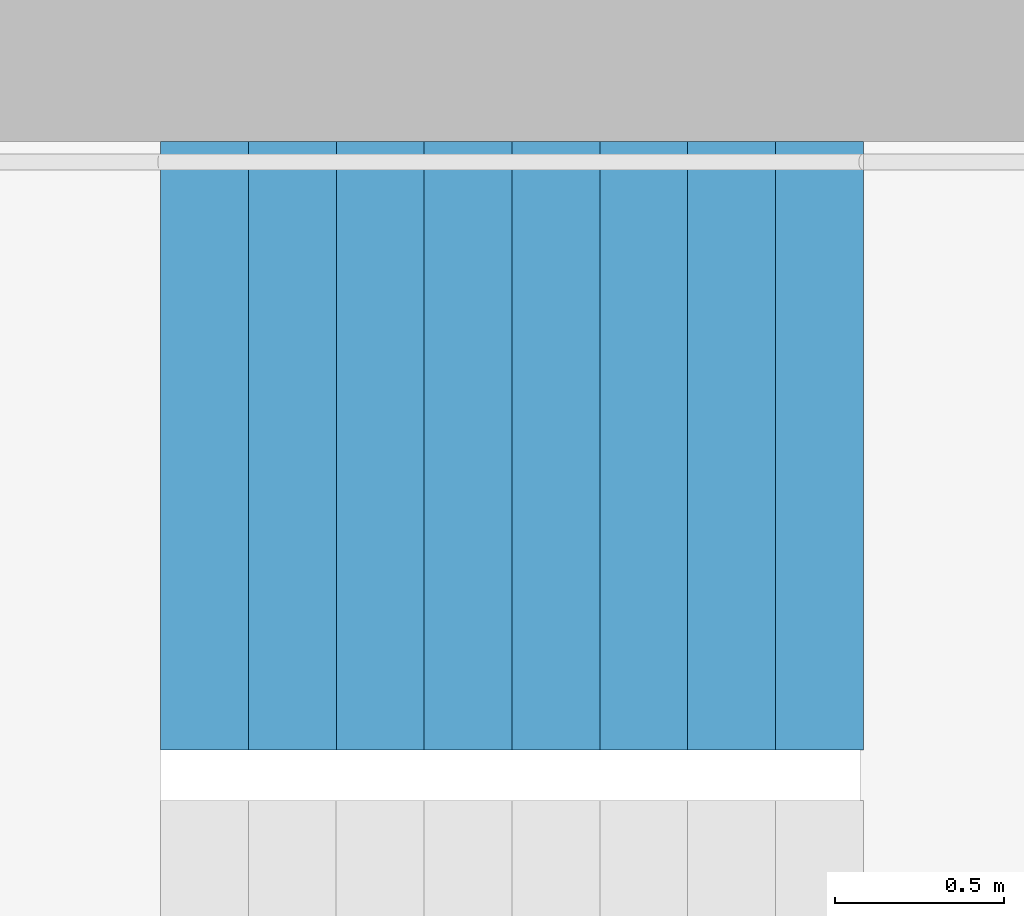
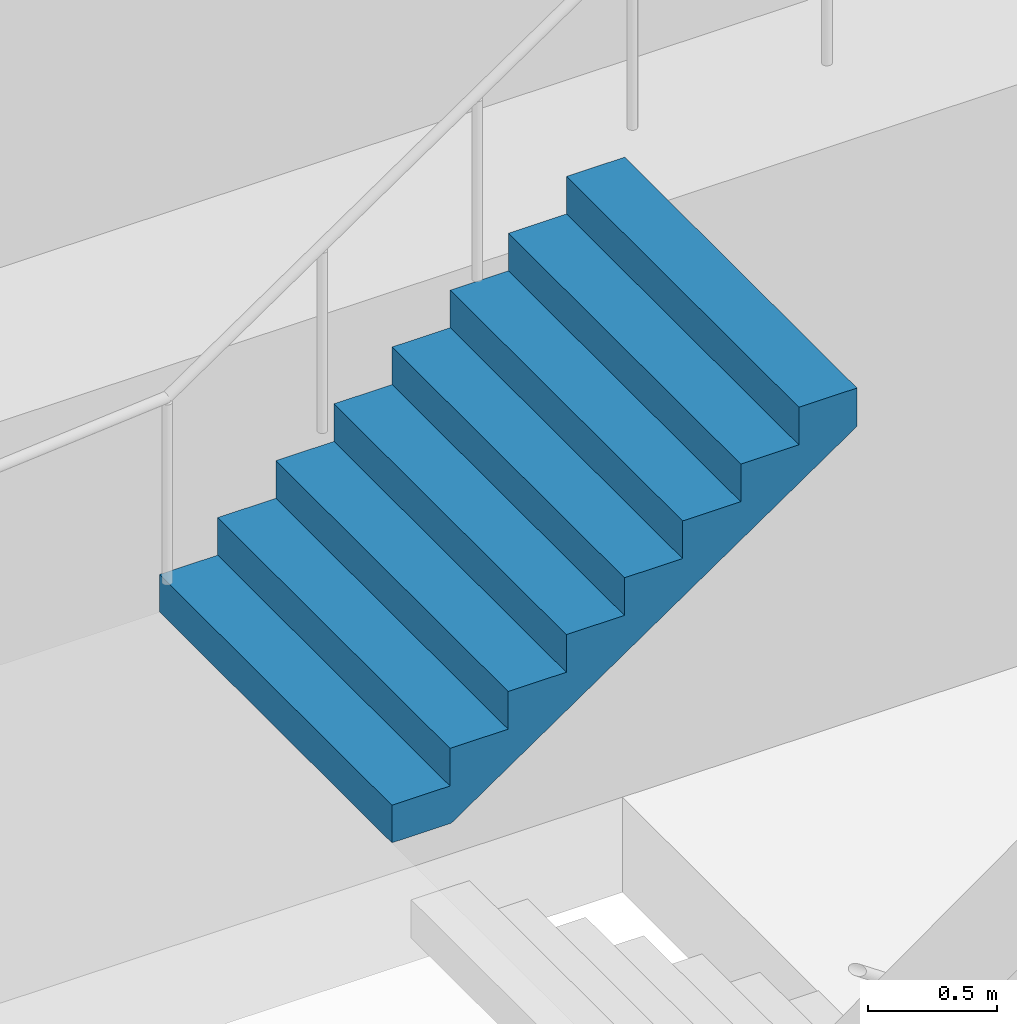
# One storey, part 25 of 26: 1 stair flight, 1 element without a shape of its own.
"""IFC4 building model written with IfcOpenShell, lengths in metres."""

from ifc_helpers import new_model, si_unit, direction, frame, origin, place, context, subcontext, project, spatial, triangles, material, type_object, element, aggregate, save


model = new_model("IFC4")

# Units and contexts
model_context = context("Model", 3, precision=1e-05, world=origin(), true_north=direction((0.0, 1.0)))
body_context = subcontext(model_context, "Body", "Model", "MODEL_VIEW")
ifc_project = project(units=[si_unit("LENGTHUNIT", "METRE"), si_unit("AREAUNIT", "SQUARE_METRE"), si_unit("VOLUMEUNIT", "CUBIC_METRE"), si_unit("PLANEANGLEUNIT", "RADIAN"), si_unit("MASSUNIT", "GRAM", prefix="KILO")], contexts=[model_context])

# Site, building, storey
site_placement = place(None, origin())
site = spatial("IfcSite", under=ifc_project, at=site_placement, CompositionType="ELEMENT")
building_placement = place(site_placement, origin())
building = spatial("IfcBuilding", under=site, at=building_placement, Name="Hakoniwa Tower and Hamabe Station Hall", CompositionType="ELEMENT")
storey_placement = place(building_placement, frame((0.0, 0.0, 131.0)))
storey = spatial("IfcBuildingStorey", under=building, at=storey_placement, Name="L36", CompositionType="ELEMENT", Elevation=131.0)

# Stair, stair flight
ifc_material_1 = material(Name="Concrete C40", Category="concrete")
stair_type = type_object("IfcStairType", Name="ESCAPE STAIR 1800", PredefinedType="HALF_TURN_STAIR", material=ifc_material_1)
stair_placement = place(storey_placement, origin())
stair = element("IfcStair", 1, at=stair_placement, inside=storey, type_object=stair_type, Name="Escape stair ST-3 L36", PredefinedType="HALF_TURN_STAIR")
ifc_material_2 = material(Name="Concrete C40", Category="concrete")
stair_flight_type = type_object("IfcStairFlightType", Name="STAIR FLIGHT 1800", PredefinedType="STRAIGHT", material=ifc_material_2)
stair_flight_placement = place(storey_placement, frame((22.320068359375, 6.60009765625, 1.60009765625), z_axis=(0.0, 0.0, 1.0), x_axis=(1.0, 0.0, 0.0)))
stair_flight = element("IfcStairFlight", 2, at=stair_flight_placement, type_object=stair_flight_type, Name="ST-3 flight 2", NumberOfRisers=9, NumberOfTreads=8, PredefinedType="STRAIGHT", RiserHeight=0.177777778, TreadLength=0.26, context=body_context, shape_type="Tessellation", body=[
    triangles([(0.0, 0.89990234375, 0.0), (0.260009765625, 0.89990234375, 0.0), (0.265625, 0.89990234375, 0.0), (0.52001953125, 0.89990234375, 0.174072265625), (0.780029296875, 0.89990234375, 0.351806640625), (1.0400390625, 0.89990234375, 0.529541015625), (1.300048828125, 0.89990234375, 0.707275390625), (1.56005859375, 0.89990234375, 0.885009765625), (1.820068359375, 0.89990234375, 1.062744140625), (2.080078125, 0.89990234375, 1.24072265625), (2.080078125, 0.89990234375, 1.422119140625), (1.820068359375, 0.89990234375, 1.422119140625), (1.820068359375, 0.89990234375, 1.244384765625), (1.56005859375, 0.89990234375, 1.244384765625), (1.56005859375, 0.89990234375, 1.066650390625), (1.300048828125, 0.89990234375, 1.066650390625), (1.300048828125, 0.89990234375, 0.888916015625), (1.0400390625, 0.89990234375, 0.888916015625), (1.0400390625, 0.89990234375, 0.711181640625), (0.780029296875, 0.89990234375, 0.711181640625), (0.780029296875, 0.89990234375, 0.533447265625), (0.52001953125, 0.89990234375, 0.533447265625), (0.52001953125, 0.89990234375, 0.35546875), (0.265625, 0.89990234375, 0.35546875), (0.260009765625, 0.89990234375, 0.35546875), (0.260009765625, 0.89990234375, 0.177734375), (0.0, 0.89990234375, 0.177734375), (0.0, 0.06005859375, 0.0), (0.260009765625, 0.06005859375, 0.0), (0.265625, 0.06005859375, 0.0), (0.52001953125, 0.06005859375, 0.174072265625), (0.780029296875, 0.06005859375, 0.351806640625), (1.0400390625, 0.06005859375, 0.529541015625), (1.300048828125, 0.06005859375, 0.707275390625), (1.56005859375, 0.06005859375, 0.885009765625), (1.820068359375, 0.06005859375, 1.062744140625), (2.080078125, 0.06005859375, 1.24072265625), (2.080078125, 0.06005859375, 1.422119140625), (1.820068359375, 0.06005859375, 1.422119140625), (1.820068359375, 0.06005859375, 1.244384765625), (1.56005859375, 0.06005859375, 1.244384765625), (1.56005859375, 0.06005859375, 1.066650390625), (1.300048828125, 0.06005859375, 1.066650390625), (1.300048828125, 0.06005859375, 0.888916015625), (1.0400390625, 0.06005859375, 0.888916015625), (1.0400390625, 0.06005859375, 0.711181640625), (0.780029296875, 0.06005859375, 0.711181640625), (0.780029296875, 0.06005859375, 0.533447265625), (0.52001953125, 0.06005859375, 0.533447265625), (0.52001953125, 0.06005859375, 0.35546875), (0.265625, 0.06005859375, 0.35546875), (0.260009765625, 0.06005859375, 0.35546875), (0.260009765625, 0.06005859375, 0.177734375), (0.0, 0.06005859375, 0.177734375), (0.0, 0.04296875, 0.0), (0.260009765625, 0.04296875, 0.0), (0.265625, 0.04296875, 0.0), (0.52001953125, 0.04296875, 0.174072265625), (0.780029296875, 0.04296875, 0.351806640625), (1.0400390625, 0.04296875, 0.529541015625), (1.300048828125, 0.04296875, 0.707275390625), (1.56005859375, 0.04296875, 0.885009765625), (1.820068359375, 0.04296875, 1.062744140625), (2.080078125, 0.04296875, 1.24072265625), (2.080078125, 0.04296875, 1.422119140625), (1.820068359375, 0.04296875, 1.422119140625), (1.820068359375, 0.04296875, 1.244384765625), (1.56005859375, 0.04296875, 1.244384765625), (1.56005859375, 0.04296875, 1.066650390625), (1.300048828125, 0.04296875, 1.066650390625), (1.300048828125, 0.04296875, 0.888916015625), (1.0400390625, 0.04296875, 0.888916015625), (1.0400390625, 0.04296875, 0.711181640625), (0.780029296875, 0.04296875, 0.711181640625), (0.780029296875, 0.04296875, 0.533447265625), (0.52001953125, 0.04296875, 0.533447265625), (0.52001953125, 0.04296875, 0.35546875), (0.265625, 0.04296875, 0.35546875), (0.260009765625, 0.04296875, 0.35546875), (0.260009765625, 0.04296875, 0.177734375), (0.0, 0.04296875, 0.177734375), (0.0, 0.025634765625, 0.0), (0.260009765625, 0.025634765625, 0.0), (0.265625, 0.025634765625, 0.0), (0.52001953125, 0.025634765625, 0.174072265625), (0.780029296875, 0.025634765625, 0.351806640625), (1.0400390625, 0.025634765625, 0.529541015625), (1.300048828125, 0.025634765625, 0.707275390625), (1.56005859375, 0.025634765625, 0.885009765625), (1.820068359375, 0.025634765625, 1.062744140625), (2.080078125, 0.025634765625, 1.24072265625), (2.080078125, 0.025634765625, 1.422119140625), (1.820068359375, 0.025634765625, 1.422119140625), (1.820068359375, 0.025634765625, 1.244384765625), (1.56005859375, 0.025634765625, 1.244384765625), (1.56005859375, 0.025634765625, 1.066650390625), (1.300048828125, 0.025634765625, 1.066650390625), (1.300048828125, 0.025634765625, 0.888916015625), (1.0400390625, 0.025634765625, 0.888916015625), (1.0400390625, 0.025634765625, 0.711181640625), (0.780029296875, 0.025634765625, 0.711181640625), (0.780029296875, 0.025634765625, 0.533447265625), (0.52001953125, 0.025634765625, 0.533447265625), (0.52001953125, 0.025634765625, 0.35546875), (0.265625, 0.025634765625, 0.35546875), (0.260009765625, 0.025634765625, 0.35546875), (0.260009765625, 0.025634765625, 0.177734375), (0.0, 0.025634765625, 0.177734375), (0.0, 0.008544921875, 0.0), (0.260009765625, 0.008544921875, 0.0), (0.265625, 0.008544921875, 0.0), (0.52001953125, 0.008544921875, 0.174072265625), (0.780029296875, 0.008544921875, 0.351806640625), (1.0400390625, 0.008544921875, 0.529541015625), (1.300048828125, 0.008544921875, 0.707275390625), (1.56005859375, 0.008544921875, 0.885009765625), (1.820068359375, 0.008544921875, 1.062744140625), (2.080078125, 0.008544921875, 1.24072265625), (2.080078125, 0.008544921875, 1.422119140625), (1.820068359375, 0.008544921875, 1.422119140625), (1.820068359375, 0.008544921875, 1.244384765625), (1.56005859375, 0.008544921875, 1.244384765625), (1.56005859375, 0.008544921875, 1.066650390625), (1.300048828125, 0.008544921875, 1.066650390625), (1.300048828125, 0.008544921875, 0.888916015625), (1.0400390625, 0.008544921875, 0.888916015625), (1.0400390625, 0.008544921875, 0.711181640625), (0.780029296875, 0.008544921875, 0.711181640625), (0.780029296875, 0.008544921875, 0.533447265625), (0.52001953125, 0.008544921875, 0.533447265625), (0.52001953125, 0.008544921875, 0.35546875), (0.265625, 0.008544921875, 0.35546875), (0.260009765625, 0.008544921875, 0.35546875), (0.260009765625, 0.008544921875, 0.177734375), (0.0, 0.008544921875, 0.177734375), (0.0, -0.008544921875, 0.0), (0.260009765625, -0.008544921875, 0.0), (0.265625, -0.008544921875, 0.0), (0.52001953125, -0.008544921875, 0.174072265625), (0.780029296875, -0.008544921875, 0.351806640625), (1.0400390625, -0.008544921875, 0.529541015625), (1.300048828125, -0.008544921875, 0.707275390625), (1.56005859375, -0.008544921875, 0.885009765625), (1.820068359375, -0.008544921875, 1.062744140625), (2.080078125, -0.008544921875, 1.24072265625), (2.080078125, -0.008544921875, 1.422119140625), (1.820068359375, -0.008544921875, 1.422119140625), (1.820068359375, -0.008544921875, 1.244384765625), (1.56005859375, -0.008544921875, 1.244384765625), (1.56005859375, -0.008544921875, 1.066650390625), (1.300048828125, -0.008544921875, 1.066650390625), (1.300048828125, -0.008544921875, 0.888916015625), (1.0400390625, -0.008544921875, 0.888916015625), (1.0400390625, -0.008544921875, 0.711181640625), (0.780029296875, -0.008544921875, 0.711181640625), (0.780029296875, -0.008544921875, 0.533447265625), (0.52001953125, -0.008544921875, 0.533447265625), (0.52001953125, -0.008544921875, 0.35546875), (0.265625, -0.008544921875, 0.35546875), (0.260009765625, -0.008544921875, 0.35546875), (0.260009765625, -0.008544921875, 0.177734375), (0.0, -0.008544921875, 0.177734375), (0.0, -0.025634765625, 0.0), (0.260009765625, -0.025634765625, 0.0), (0.265625, -0.025634765625, 0.0), (0.52001953125, -0.025634765625, 0.174072265625), (0.780029296875, -0.025634765625, 0.351806640625), (1.0400390625, -0.025634765625, 0.529541015625), (1.300048828125, -0.025634765625, 0.707275390625), (1.56005859375, -0.025634765625, 0.885009765625), (1.820068359375, -0.025634765625, 1.062744140625), (2.080078125, -0.025634765625, 1.24072265625), (2.080078125, -0.025634765625, 1.422119140625), (1.820068359375, -0.025634765625, 1.422119140625), (1.820068359375, -0.025634765625, 1.244384765625), (1.56005859375, -0.025634765625, 1.244384765625), (1.56005859375, -0.025634765625, 1.066650390625), (1.300048828125, -0.025634765625, 1.066650390625), (1.300048828125, -0.025634765625, 0.888916015625), (1.0400390625, -0.025634765625, 0.888916015625), (1.0400390625, -0.025634765625, 0.711181640625), (0.780029296875, -0.025634765625, 0.711181640625), (0.780029296875, -0.025634765625, 0.533447265625), (0.52001953125, -0.025634765625, 0.533447265625), (0.52001953125, -0.025634765625, 0.35546875), (0.265625, -0.025634765625, 0.35546875), (0.260009765625, -0.025634765625, 0.35546875), (0.260009765625, -0.025634765625, 0.177734375), (0.0, -0.025634765625, 0.177734375), (0.0, -0.04296875, 0.0), (0.260009765625, -0.04296875, 0.0), (0.265625, -0.04296875, 0.0), (0.52001953125, -0.04296875, 0.174072265625), (0.780029296875, -0.04296875, 0.351806640625), (1.0400390625, -0.04296875, 0.529541015625), (1.300048828125, -0.04296875, 0.707275390625), (1.56005859375, -0.04296875, 0.885009765625), (1.820068359375, -0.04296875, 1.062744140625), (2.080078125, -0.04296875, 1.24072265625), (2.080078125, -0.04296875, 1.422119140625), (1.820068359375, -0.04296875, 1.422119140625), (1.820068359375, -0.04296875, 1.244384765625), (1.56005859375, -0.04296875, 1.244384765625), (1.56005859375, -0.04296875, 1.066650390625), (1.300048828125, -0.04296875, 1.066650390625), (1.300048828125, -0.04296875, 0.888916015625), (1.0400390625, -0.04296875, 0.888916015625), (1.0400390625, -0.04296875, 0.711181640625), (0.780029296875, -0.04296875, 0.711181640625), (0.780029296875, -0.04296875, 0.533447265625), (0.52001953125, -0.04296875, 0.533447265625), (0.52001953125, -0.04296875, 0.35546875), (0.265625, -0.04296875, 0.35546875), (0.260009765625, -0.04296875, 0.35546875), (0.260009765625, -0.04296875, 0.177734375), (0.0, -0.04296875, 0.177734375), (0.0, -0.06005859375, 0.0), (0.260009765625, -0.06005859375, 0.0), (0.265625, -0.06005859375, 0.0), (0.52001953125, -0.06005859375, 0.174072265625), (0.780029296875, -0.06005859375, 0.351806640625), (1.0400390625, -0.06005859375, 0.529541015625), (1.300048828125, -0.06005859375, 0.707275390625), (1.56005859375, -0.06005859375, 0.885009765625), (1.820068359375, -0.06005859375, 1.062744140625), (2.080078125, -0.06005859375, 1.24072265625), (2.080078125, -0.06005859375, 1.422119140625), (1.820068359375, -0.06005859375, 1.422119140625), (1.820068359375, -0.06005859375, 1.244384765625), (1.56005859375, -0.06005859375, 1.244384765625), (1.56005859375, -0.06005859375, 1.066650390625), (1.300048828125, -0.06005859375, 1.066650390625), (1.300048828125, -0.06005859375, 0.888916015625), (1.0400390625, -0.06005859375, 0.888916015625), (1.0400390625, -0.06005859375, 0.711181640625), (0.780029296875, -0.06005859375, 0.711181640625), (0.780029296875, -0.06005859375, 0.533447265625), (0.52001953125, -0.06005859375, 0.533447265625), (0.52001953125, -0.06005859375, 0.35546875), (0.265625, -0.06005859375, 0.35546875), (0.260009765625, -0.06005859375, 0.35546875), (0.260009765625, -0.06005859375, 0.177734375), (0.0, -0.06005859375, 0.177734375), (0.0, -0.89990234375, 0.0), (0.260009765625, -0.89990234375, 0.0), (0.265625, -0.89990234375, 0.0), (0.52001953125, -0.89990234375, 0.174072265625), (0.780029296875, -0.89990234375, 0.351806640625), (1.0400390625, -0.89990234375, 0.529541015625), (1.300048828125, -0.89990234375, 0.707275390625), (1.56005859375, -0.89990234375, 0.885009765625), (1.820068359375, -0.89990234375, 1.062744140625), (2.080078125, -0.89990234375, 1.24072265625), (2.080078125, -0.89990234375, 1.422119140625), (1.820068359375, -0.89990234375, 1.422119140625), (1.820068359375, -0.89990234375, 1.244384765625), (1.56005859375, -0.89990234375, 1.244384765625), (1.56005859375, -0.89990234375, 1.066650390625), (1.300048828125, -0.89990234375, 1.066650390625), (1.300048828125, -0.89990234375, 0.888916015625), (1.0400390625, -0.89990234375, 0.888916015625), (1.0400390625, -0.89990234375, 0.711181640625), (0.780029296875, -0.89990234375, 0.711181640625), (0.780029296875, -0.89990234375, 0.533447265625), (0.52001953125, -0.89990234375, 0.533447265625), (0.52001953125, -0.89990234375, 0.35546875), (0.265625, -0.89990234375, 0.35546875), (0.260009765625, -0.89990234375, 0.35546875), (0.260009765625, -0.89990234375, 0.177734375), (0.0, -0.89990234375, 0.177734375)], [[2, 27, 26], [245, 269, 270], [2, 1, 27], [245, 270, 244], [3, 25, 24], [246, 267, 268], [3, 26, 25], [246, 268, 269], [3, 2, 26], [246, 269, 245], [4, 24, 23], [247, 266, 267], [4, 3, 24], [247, 267, 246], [5, 22, 21], [248, 264, 265], [5, 23, 22], [248, 265, 266], [5, 4, 23], [248, 266, 247], [6, 20, 19], [249, 262, 263], [6, 21, 20], [249, 263, 264], [6, 5, 21], [249, 264, 248], [7, 18, 17], [250, 260, 261], [7, 19, 18], [250, 261, 262], [7, 6, 19], [250, 262, 249], [8, 16, 15], [251, 258, 259], [8, 17, 16], [251, 259, 260], [8, 7, 17], [251, 260, 250], [9, 14, 13], [252, 256, 257], [9, 15, 14], [252, 257, 258], [9, 8, 15], [252, 258, 251], [10, 12, 11], [253, 254, 255], [10, 13, 12], [253, 255, 256], [10, 9, 13], [253, 256, 252], [1, 2, 29], [1, 29, 28], [28, 29, 56], [28, 56, 55], [55, 56, 83], [55, 83, 82], [82, 83, 110], [82, 110, 109], [109, 110, 137], [109, 137, 136], [136, 137, 164], [136, 164, 163], [163, 164, 191], [163, 191, 190], [190, 191, 218], [190, 218, 217], [217, 218, 245], [217, 245, 244], [2, 3, 30], [2, 30, 29], [29, 30, 57], [29, 57, 56], [56, 57, 84], [56, 84, 83], [83, 84, 111], [83, 111, 110], [110, 111, 138], [110, 138, 137], [137, 138, 165], [137, 165, 164], [164, 165, 192], [164, 192, 191], [191, 192, 219], [191, 219, 218], [218, 219, 246], [218, 246, 245], [3, 4, 31], [3, 31, 30], [30, 31, 58], [30, 58, 57], [57, 58, 85], [57, 85, 84], [84, 85, 112], [84, 112, 111], [111, 112, 139], [111, 139, 138], [138, 139, 166], [138, 166, 165], [165, 166, 193], [165, 193, 192], [192, 193, 220], [192, 220, 219], [219, 220, 247], [219, 247, 246], [4, 5, 32], [4, 32, 31], [31, 32, 59], [31, 59, 58], [58, 59, 86], [58, 86, 85], [85, 86, 113], [85, 113, 112], [112, 113, 140], [112, 140, 139], [139, 140, 167], [139, 167, 166], [166, 167, 194], [166, 194, 193], [193, 194, 221], [193, 221, 220], [220, 221, 248], [220, 248, 247], [5, 6, 33], [5, 33, 32], [32, 33, 60], [32, 60, 59], [59, 60, 87], [59, 87, 86], [86, 87, 114], [86, 114, 113], [113, 114, 141], [113, 141, 140], [140, 141, 168], [140, 168, 167], [167, 168, 195], [167, 195, 194], [194, 195, 222], [194, 222, 221], [221, 222, 249], [221, 249, 248], [6, 7, 34], [6, 34, 33], [33, 34, 61], [33, 61, 60], [60, 61, 88], [60, 88, 87], [87, 88, 115], [87, 115, 114], [114, 115, 142], [114, 142, 141], [141, 142, 169], [141, 169, 168], [168, 169, 196], [168, 196, 195], [195, 196, 223], [195, 223, 222], [222, 223, 250], [222, 250, 249], [7, 8, 35], [7, 35, 34], [34, 35, 62], [34, 62, 61], [61, 62, 89], [61, 89, 88], [88, 89, 116], [88, 116, 115], [115, 116, 143], [115, 143, 142], [142, 143, 170], [142, 170, 169], [169, 170, 197], [169, 197, 196], [196, 197, 224], [196, 224, 223], [223, 224, 251], [223, 251, 250], [8, 9, 36], [8, 36, 35], [35, 36, 63], [35, 63, 62], [62, 63, 90], [62, 90, 89], [89, 90, 117], [89, 117, 116], [116, 117, 144], [116, 144, 143], [143, 144, 171], [143, 171, 170], [170, 171, 198], [170, 198, 197], [197, 198, 225], [197, 225, 224], [224, 225, 252], [224, 252, 251], [9, 10, 37], [9, 37, 36], [36, 37, 64], [36, 64, 63], [63, 64, 91], [63, 91, 90], [90, 91, 118], [90, 118, 117], [117, 118, 145], [117, 145, 144], [144, 145, 172], [144, 172, 171], [171, 172, 199], [171, 199, 198], [198, 199, 226], [198, 226, 225], [225, 226, 253], [225, 253, 252], [10, 11, 38], [10, 38, 37], [37, 38, 65], [37, 65, 64], [64, 65, 92], [64, 92, 91], [91, 92, 119], [91, 119, 118], [118, 119, 146], [118, 146, 145], [145, 146, 173], [145, 173, 172], [172, 173, 200], [172, 200, 199], [199, 200, 227], [199, 227, 226], [226, 227, 254], [226, 254, 253], [11, 12, 39], [11, 39, 38], [38, 39, 66], [38, 66, 65], [65, 66, 93], [65, 93, 92], [92, 93, 120], [92, 120, 119], [119, 120, 147], [119, 147, 146], [146, 147, 174], [146, 174, 173], [173, 174, 201], [173, 201, 200], [200, 201, 228], [200, 228, 227], [227, 228, 255], [227, 255, 254], [12, 13, 40], [12, 40, 39], [39, 40, 67], [39, 67, 66], [66, 67, 94], [66, 94, 93], [93, 94, 121], [93, 121, 120], [120, 121, 148], [120, 148, 147], [147, 148, 175], [147, 175, 174], [174, 175, 202], [174, 202, 201], [201, 202, 229], [201, 229, 228], [228, 229, 256], [228, 256, 255], [13, 14, 41], [13, 41, 40], [40, 41, 68], [40, 68, 67], [67, 68, 95], [67, 95, 94], [94, 95, 122], [94, 122, 121], [121, 122, 149], [121, 149, 148], [148, 149, 176], [148, 176, 175], [175, 176, 203], [175, 203, 202], [202, 203, 230], [202, 230, 229], [229, 230, 257], [229, 257, 256], [14, 15, 42], [14, 42, 41], [41, 42, 69], [41, 69, 68], [68, 69, 96], [68, 96, 95], [95, 96, 123], [95, 123, 122], [122, 123, 150], [122, 150, 149], [149, 150, 177], [149, 177, 176], [176, 177, 204], [176, 204, 203], [203, 204, 231], [203, 231, 230], [230, 231, 258], [230, 258, 257], [15, 16, 43], [15, 43, 42], [42, 43, 70], [42, 70, 69], [69, 70, 97], [69, 97, 96], [96, 97, 124], [96, 124, 123], [123, 124, 151], [123, 151, 150], [150, 151, 178], [150, 178, 177], [177, 178, 205], [177, 205, 204], [204, 205, 232], [204, 232, 231], [231, 232, 259], [231, 259, 258], [16, 17, 44], [16, 44, 43], [43, 44, 71], [43, 71, 70], [70, 71, 98], [70, 98, 97], [97, 98, 125], [97, 125, 124], [124, 125, 152], [124, 152, 151], [151, 152, 179], [151, 179, 178], [178, 179, 206], [178, 206, 205], [205, 206, 233], [205, 233, 232], [232, 233, 260], [232, 260, 259], [17, 18, 45], [17, 45, 44], [44, 45, 72], [44, 72, 71], [71, 72, 99], [71, 99, 98], [98, 99, 126], [98, 126, 125], [125, 126, 153], [125, 153, 152], [152, 153, 180], [152, 180, 179], [179, 180, 207], [179, 207, 206], [206, 207, 234], [206, 234, 233], [233, 234, 261], [233, 261, 260], [18, 19, 46], [18, 46, 45], [45, 46, 73], [45, 73, 72], [72, 73, 100], [72, 100, 99], [99, 100, 127], [99, 127, 126], [126, 127, 154], [126, 154, 153], [153, 154, 181], [153, 181, 180], [180, 181, 208], [180, 208, 207], [207, 208, 235], [207, 235, 234], [234, 235, 262], [234, 262, 261], [19, 20, 47], [19, 47, 46], [46, 47, 74], [46, 74, 73], [73, 74, 101], [73, 101, 100], [100, 101, 128], [100, 128, 127], [127, 128, 155], [127, 155, 154], [154, 155, 182], [154, 182, 181], [181, 182, 209], [181, 209, 208], [208, 209, 236], [208, 236, 235], [235, 236, 263], [235, 263, 262], [20, 21, 48], [20, 48, 47], [47, 48, 75], [47, 75, 74], [74, 75, 102], [74, 102, 101], [101, 102, 129], [101, 129, 128], [128, 129, 156], [128, 156, 155], [155, 156, 183], [155, 183, 182], [182, 183, 210], [182, 210, 209], [209, 210, 237], [209, 237, 236], [236, 237, 264], [236, 264, 263], [21, 22, 49], [21, 49, 48], [48, 49, 76], [48, 76, 75], [75, 76, 103], [75, 103, 102], [102, 103, 130], [102, 130, 129], [129, 130, 157], [129, 157, 156], [156, 157, 184], [156, 184, 183], [183, 184, 211], [183, 211, 210], [210, 211, 238], [210, 238, 237], [237, 238, 265], [237, 265, 264], [22, 23, 50], [22, 50, 49], [49, 50, 77], [49, 77, 76], [76, 77, 104], [76, 104, 103], [103, 104, 131], [103, 131, 130], [130, 131, 158], [130, 158, 157], [157, 158, 185], [157, 185, 184], [184, 185, 212], [184, 212, 211], [211, 212, 239], [211, 239, 238], [238, 239, 266], [238, 266, 265], [23, 24, 51], [23, 51, 50], [50, 51, 78], [50, 78, 77], [77, 78, 105], [77, 105, 104], [104, 105, 132], [104, 132, 131], [131, 132, 159], [131, 159, 158], [158, 159, 186], [158, 186, 185], [185, 186, 213], [185, 213, 212], [212, 213, 240], [212, 240, 239], [239, 240, 267], [239, 267, 266], [24, 25, 52], [24, 52, 51], [51, 52, 79], [51, 79, 78], [78, 79, 106], [78, 106, 105], [105, 106, 133], [105, 133, 132], [132, 133, 160], [132, 160, 159], [159, 160, 187], [159, 187, 186], [186, 187, 214], [186, 214, 213], [213, 214, 241], [213, 241, 240], [240, 241, 268], [240, 268, 267], [25, 26, 53], [25, 53, 52], [52, 53, 80], [52, 80, 79], [79, 80, 107], [79, 107, 106], [106, 107, 134], [106, 134, 133], [133, 134, 161], [133, 161, 160], [160, 161, 188], [160, 188, 187], [187, 188, 215], [187, 215, 214], [214, 215, 242], [214, 242, 241], [241, 242, 269], [241, 269, 268], [26, 27, 54], [26, 54, 53], [53, 54, 81], [53, 81, 80], [80, 81, 108], [80, 108, 107], [107, 108, 135], [107, 135, 134], [134, 135, 162], [134, 162, 161], [161, 162, 189], [161, 189, 188], [188, 189, 216], [188, 216, 215], [215, 216, 243], [215, 243, 242], [242, 243, 270], [242, 270, 269], [27, 1, 28], [27, 28, 54], [54, 28, 55], [54, 55, 81], [81, 55, 82], [81, 82, 108], [108, 82, 109], [108, 109, 135], [135, 109, 136], [135, 136, 162], [162, 136, 163], [162, 163, 189], [189, 163, 190], [189, 190, 216], [216, 190, 217], [216, 217, 243], [243, 217, 244], [243, 244, 270]], closed=True),
])
aggregate(stair, [stair_flight])

save(model, "model.ifc")
